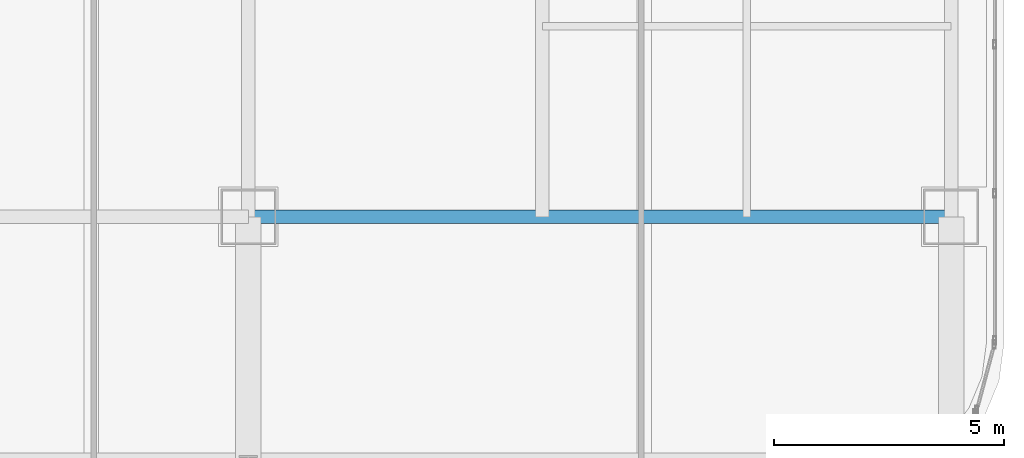
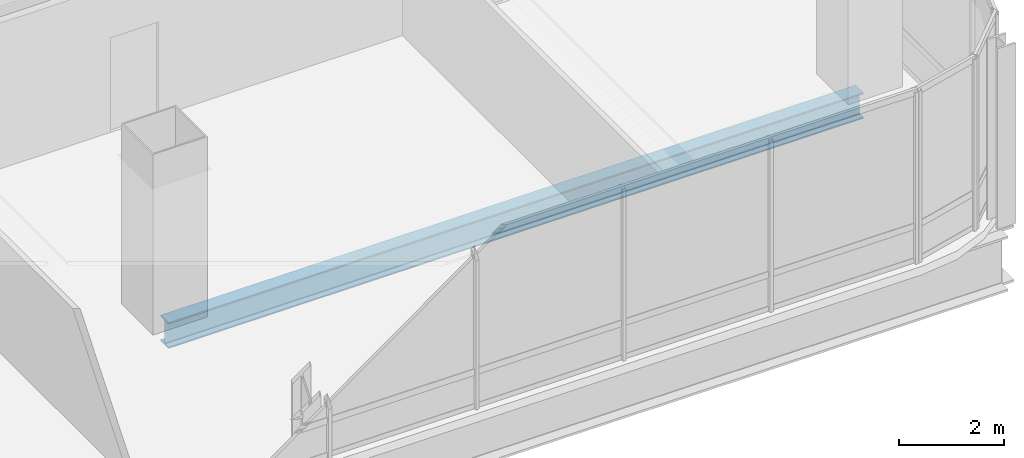
# One storey, part 17 of 43: 1 beam.
"""IFC4 building model written with IfcOpenShell, lengths in metres."""

from ifc_helpers import new_model, si_unit, direction, frame, origin, origin_2d, place, context, subcontext, project, spatial, i_section, extrude, material, material_profile, profile_set, type_object, element, save


model = new_model("IFC4")

# Units and contexts
model_context = context("Model", 3, precision=1e-05, world=origin(), true_north=direction((0.0, 1.0)))
body_context = subcontext(model_context, "Body", "Model", "MODEL_VIEW")
ifc_project = project(units=[si_unit("LENGTHUNIT", "METRE"), si_unit("AREAUNIT", "SQUARE_METRE"), si_unit("VOLUMEUNIT", "CUBIC_METRE"), si_unit("PLANEANGLEUNIT", "RADIAN"), si_unit("MASSUNIT", "GRAM", prefix="KILO")], contexts=[model_context])

# Site, building, storey
site_placement = place(None, origin())
site = spatial("IfcSite", under=ifc_project, at=site_placement, CompositionType="ELEMENT")
building_placement = place(site_placement, origin())
building = spatial("IfcBuilding", under=site, at=building_placement, Name="Punatoya Terracotta Tower", CompositionType="ELEMENT")
storey_placement = place(building_placement, frame((0.0, 0.0, 321.60009765625)))
storey = spatial("IfcBuildingStorey", under=building, at=storey_placement, Name="L76", CompositionType="ELEMENT", Elevation=321.60009765625)

# Beam
ifc_material = material(Name="Steel S355", Category="steel")
ifc_material_profile = material_profile(ifc_material, i_section(OverallWidth=0.300048828125, OverallDepth=0.60009765625, WebThickness=0.015380859375, FlangeThickness=0.030029296875, FilletRadius=0.01806640625, at=origin_2d()))
ifc_profile_set = profile_set([ifc_material_profile], Name="Steel S355")
beam_type = type_object("IfcBeamType", Name="BM-PRI-600", PredefinedType="BEAM", material=ifc_profile_set)
beam_placement = place(storey_placement, frame((3.800048828125, -17.5, -0.5), z_axis=(1.0, 0.0, 0.0), x_axis=(0.0, 1.0, 0.0)))
element("IfcBeam", 1, at=beam_placement, inside=storey, type_object=beam_type, Name="BM-L76-RG-S3", PredefinedType="BEAM", context=body_context, shape_type="SweptSolid", body=[
    extrude(i_section(OverallWidth=0.300048828125, OverallDepth=0.60009765625, WebThickness=0.015380859375, FlangeThickness=0.030029296875, FilletRadius=0.01806640625, at=origin_2d()), origin(), (0.0, 0.0, 1.0), 15.300048828125),
])

save(model, "model.ifc")
